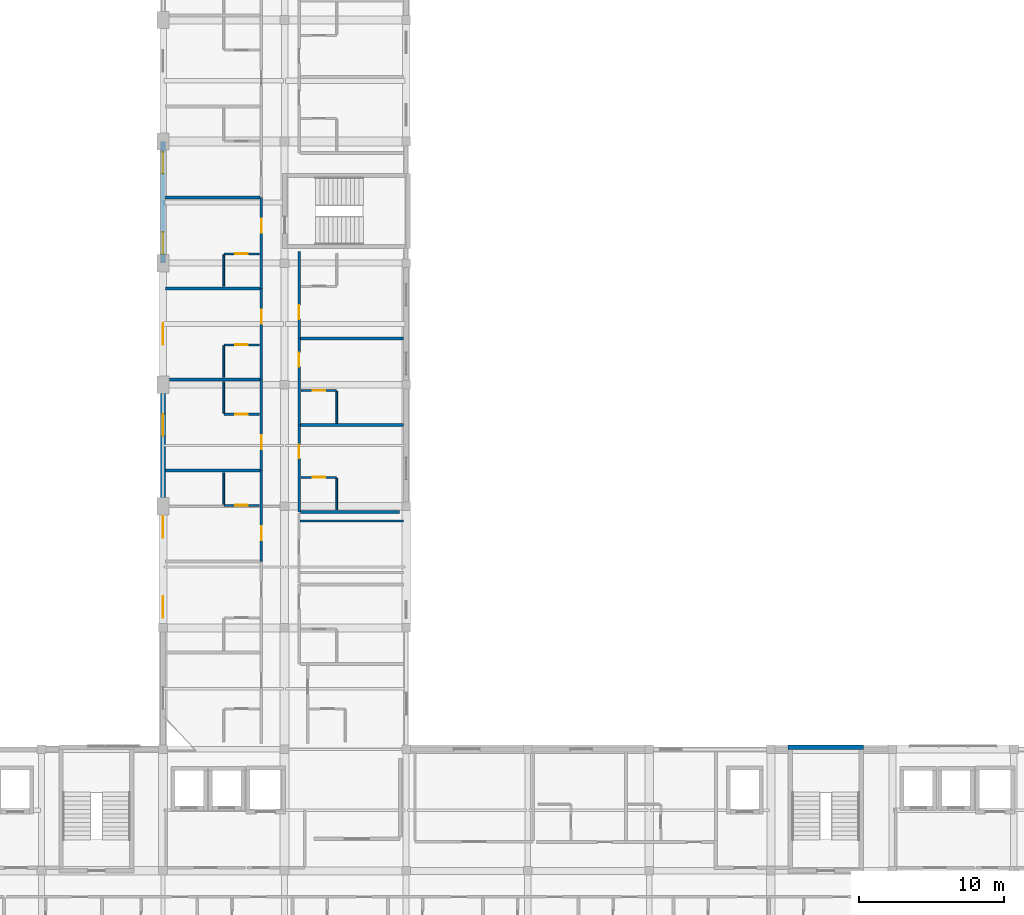
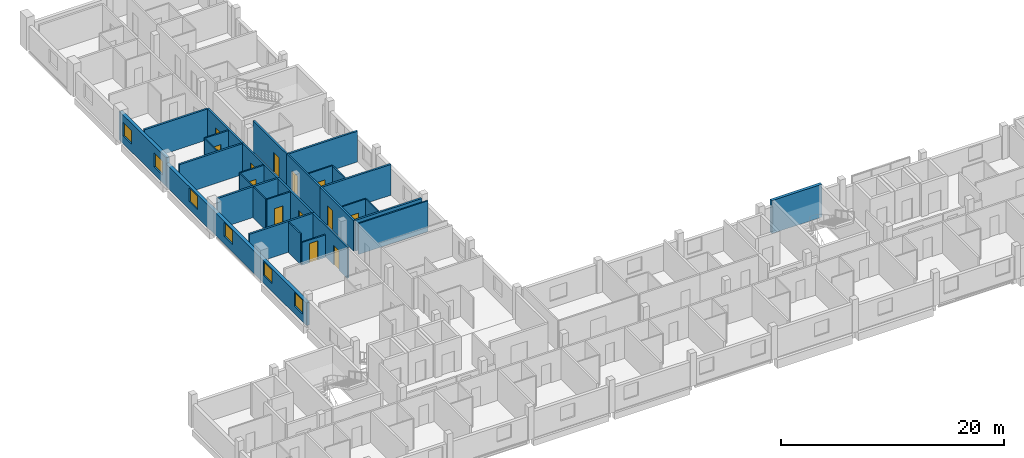
# One storey, part 15 of 24: 30 walls, 13 doors, 6 windows, 19 openings.
"""IFC4 building model written with IfcOpenShell, lengths in metres."""

import ifcopenshell
import ifcopenshell.guid

model = None  # the IFC model being written
_history = None  # IfcOwnerHistory: only IFC2X3 demands one
_inside = {}  # id of a spatial element -> (the spatial element, [elements in it])
_under = {}  # id of a project, library or spatial element -> (it, [spatial elements below it])
_declared = {}  # id of a project -> (the project, [libraries it declares])
_typed = {}  # id of a type object -> (the type object, [elements of that type])
_made_of = {}  # id of a material, layer set ... -> (it, [elements and type objects made of it])


def new_model(schema):
    """Start an empty IFC model of exactly this schema.

    Asked for "IFC4X3", IfcOpenShell would pick the latest addendum, in which some entities
    have other attributes; the version numbers below select the first issue.
    IFC2X3 requires an IfcOwnerHistory on every rooted entity: one is made here for all.
    """
    global model, _history
    if schema == "IFC4X3":
        model = ifcopenshell.file(schema_version=(4, 3, 0, 0))
    else:
        model = ifcopenshell.file(schema=schema)
    _inside.clear()
    _under.clear()
    _declared.clear()
    _typed.clear()
    _made_of.clear()
    _history = None
    if model.schema == "IFC2X3":
        org = make("IfcOrganization", Name="unknown")
        user = make(
            "IfcPersonAndOrganization",
            ThePerson=make("IfcPerson", FamilyName="unknown"),
            TheOrganization=org,
        )
        app = make(
            "IfcApplication",
            ApplicationDeveloper=org,
            Version="unknown",
            ApplicationFullName="unknown",
            ApplicationIdentifier="unknown",
        )
        _history = make(
            "IfcOwnerHistory",
            OwningUser=user,
            OwningApplication=app,
            ChangeAction="ADDED",
            CreationDate=0,
        )
    return model


def make(cls, **values):
    """One entity of the class cls with the attributes given. An attribute that is None is left unset."""
    return model.create_entity(
        cls, **{name: value for name, value in values.items() if value is not None}
    )


def rooted(cls, **values):
    """An entity with a GlobalId (a new one), such as an element, a storey or a relation."""
    return make(cls, GlobalId=ifcopenshell.guid.new(), OwnerHistory=_history, **values)


def si_unit(unit_type, name, prefix=None):
    """IfcSIUnit, for example si_unit("LENGTHUNIT", "METRE", prefix="MILLI")."""
    return make("IfcSIUnit", UnitType=unit_type, Prefix=prefix, Name=name)


def derived_unit(unit_type, elements):
    """IfcDerivedUnit: a product of units, each with its exponent."""
    return make(
        "IfcDerivedUnit",
        Elements=[
            make("IfcDerivedUnitElement", Unit=unit, Exponent=power)
            for unit, power in elements
        ],
        UnitType=unit_type,
    )


def assignment(units):
    """IfcUnitAssignment: the units of a project."""
    return None if units is None else make("IfcUnitAssignment", Units=units)


def point(xyz):
    """IfcCartesianPoint."""
    return None if xyz is None else make("IfcCartesianPoint", Coordinates=xyz)


def direction(xyz):
    """IfcDirection."""
    return None if xyz is None else make("IfcDirection", DirectionRatios=xyz)


def frame(location, z_axis=None, x_axis=None):
    """IfcAxis2Placement3D, a coordinate frame: its origin and axes. An axis left out is left unset."""
    return make(
        "IfcAxis2Placement3D",
        Location=point(location),
        Axis=direction(z_axis),
        RefDirection=direction(x_axis),
    )


def frame_2d(location, x_axis=None):
    """IfcAxis2Placement2D, a coordinate frame in the plane: its origin and x axis."""
    return make(
        "IfcAxis2Placement2D", Location=point(location), RefDirection=direction(x_axis)
    )


def origin():
    """The frame at (0, 0, 0) with its axes left unset."""
    return frame((0.0, 0.0, 0.0))


def place(relative_to, where):
    """IfcLocalPlacement: puts the frame where relative to a parent placement (None: the world)."""
    return make(
        "IfcLocalPlacement", PlacementRelTo=relative_to, RelativePlacement=where
    )


def context(
    kind, dimensions, precision=None, world=None, true_north=None, identifier=None
):
    """IfcGeometricRepresentationContext, for example the 3D "Model" context."""
    return make(
        "IfcGeometricRepresentationContext",
        ContextIdentifier=identifier,
        ContextType=kind,
        CoordinateSpaceDimension=dimensions,
        Precision=precision,
        WorldCoordinateSystem=world,
        TrueNorth=true_north,
    )


def subcontext(parent, identifier, kind, view, scale=None):
    """IfcGeometricRepresentationSubContext, for example "Body" below "Model"."""
    return make(
        "IfcGeometricRepresentationSubContext",
        ContextIdentifier=identifier,
        ContextType=kind,
        ParentContext=parent,
        TargetScale=scale,
        TargetView=view,
    )


def project(units=None, contexts=None):
    """IfcProject with its units and contexts."""
    return rooted(
        "IfcProject",
        Name="project",
        RepresentationContexts=contexts,
        UnitsInContext=assignment(units),
    )


def spatial(cls, under=None, at=None, **own):
    """A site, building, storey or space (cls), placed at a placement, below another one or the project."""
    s = rooted(cls, ObjectPlacement=at, **own)
    if under is not None:
        _under.setdefault(under.id(), (under, []))[1].append(s)
    return s


def profile(cls, at=None, kind="AREA", **sizes):
    """A parametric profile (cls). Its sizes go by their IFC names, for example OverallWidth=200.0."""
    return make(cls, ProfileType=kind, Position=at, **sizes)


def rectangle(**sizes):
    """IfcRectangleProfileDef."""
    return profile("IfcRectangleProfileDef", **sizes)


def extrude(swept, where, along, depth):
    """IfcExtrudedAreaSolid: the profile swept, set in the frame where, extruded along a direction by depth."""
    return make(
        "IfcExtrudedAreaSolid",
        SweptArea=swept,
        Position=where,
        ExtrudedDirection=direction(along),
        Depth=depth,
    )


def shape(context_of_items, identifier, shape_type, items):
    """IfcShapeRepresentation: the items that make up one representation, for example the "Body"."""
    return make(
        "IfcShapeRepresentation",
        ContextOfItems=context_of_items,
        RepresentationIdentifier=identifier,
        RepresentationType=shape_type,
        Items=items,
    )


def material(Name=None, Category=None):
    """IfcMaterial."""
    return make("IfcMaterial", Name=Name, Category=Category)


def layer(
    of_material, thickness, ventilated=None, Name=None, Category=None, Priority=None
):
    """IfcMaterialLayer: one layer of a wall or slab, of a material (None: an air gap)."""
    return make(
        "IfcMaterialLayer",
        Material=of_material,
        LayerThickness=thickness,
        IsVentilated=ventilated,
        Name=Name,
        Category=Category,
        Priority=Priority,
    )


def layer_set(layers, Name=None):
    """IfcMaterialLayerSet."""
    return make("IfcMaterialLayerSet", MaterialLayers=layers, LayerSetName=Name)


def made_of(thing, what):
    """Note that an element or type object is made of a material, layer set ...; save() writes the relation."""
    if what is not None:
        _made_of.setdefault(what.id(), (what, []))[1].append(thing)
    return thing


def type_object(cls, material=None, **own):
    """A type object (cls), such as IfcWallType, which elements share."""
    return made_of(rooted(cls, **own), material)


def element(
    cls,
    number,
    at=None,
    inside=None,
    cuts=None,
    type_object=None,
    material=None,
    context=None,
    identifier="Body",
    shape_type=None,
    held_by="IfcProductDefinitionShape",
    body=None,
    shapes=None,
    **own,
):
    """One element of the class cls, such as IfcWall. Its Tag is "e" and its number.

    at: its placement. inside: the storey or other place that contains it. cuts: it is an
    opening in that element (IfcRelVoidsElement). A single representation is given by context,
    identifier, shape_type and body (its items); several are given by shapes. held_by: the class
    of the entity that holds the representations. save() writes the other relations.
    """
    e = rooted(cls, Tag="e%d" % number, ObjectPlacement=at, **own)
    if body is not None:
        shapes = [shape(context, identifier, shape_type, body)]
    if shapes is not None:
        e.Representation = make(held_by, Representations=shapes)
    if inside is not None:
        _inside.setdefault(inside.id(), (inside, []))[1].append(e)
    if cuts is not None:
        rooted(
            "IfcRelVoidsElement", RelatingBuildingElement=cuts, RelatedOpeningElement=e
        )
    if type_object is not None:
        _typed.setdefault(type_object.id(), (type_object, []))[1].append(e)
    return made_of(e, material)


def fill(opening, filler):
    """IfcRelFillsElement: the door or window that sits in an opening."""
    return rooted(
        "IfcRelFillsElement",
        RelatingOpeningElement=opening,
        RelatedBuildingElement=filler,
    )


def aggregate(whole, parts):
    """IfcRelAggregates: a whole, such as a stair, and the parts it consists of."""
    return rooted("IfcRelAggregates", RelatingObject=whole, RelatedObjects=parts)


def save(model, path):
    """Write the relations noted so far, then the file.

    IfcRelAggregates (storeys below a building ...), IfcRelContainedInSpatialStructure (elements
    in a storey), IfcRelDefinesByType, IfcRelAssociatesMaterial and IfcRelDeclares: one each for
    every whole, place, type object, material and project.
    """
    for whole, parts in _under.values():
        aggregate(whole, parts)
    for where, things in _inside.values():
        rooted(
            "IfcRelContainedInSpatialStructure",
            RelatedElements=things,
            RelatingStructure=where,
        )
    for kind, things in _typed.values():
        rooted("IfcRelDefinesByType", RelatedObjects=things, RelatingType=kind)
    for what, things in _made_of.values():
        rooted("IfcRelAssociatesMaterial", RelatedObjects=things, RelatingMaterial=what)
    for by, libraries in _declared.values():
        rooted("IfcRelDeclares", RelatingContext=by, RelatedDefinitions=libraries)
    model.write(path)


model = new_model("IFC4")

# Units and contexts
model_context = context("Model", 3, precision=1e-05, world=origin(), true_north=direction((0.0, 1.0)))
body_context = subcontext(model_context, "Body", "Model", "MODEL_VIEW")
ifc_project = project(units=[si_unit("LENGTHUNIT", "METRE"), si_unit("AREAUNIT", "SQUARE_METRE"), si_unit("VOLUMEUNIT", "CUBIC_METRE"), si_unit("PLANEANGLEUNIT", "RADIAN"), si_unit("MASSUNIT", "GRAM", prefix="KILO"), derived_unit("THERMALTRANSMITTANCEUNIT", [(si_unit("POWERUNIT", "WATT"), 1), (si_unit("LENGTHUNIT", "METRE"), -2), (si_unit("THERMODYNAMICTEMPERATUREUNIT", "KELVIN"), -1)])], contexts=[model_context])

# Site, building, storey
site_placement = place(None, origin())
site = spatial("IfcSite", under=ifc_project, at=site_placement, CompositionType="ELEMENT")
building_placement = place(site_placement, origin())
building = spatial("IfcBuilding", under=site, at=building_placement, Name="Barrovel Congress Hotel", CompositionType="ELEMENT")
storey_placement = place(building_placement, frame((0.0, 0.0, 29.10009765625)))
storey = spatial("IfcBuildingStorey", under=building, at=storey_placement, Name="L07", CompositionType="ELEMENT", Elevation=29.10009765625)

# Wall, openings, windows
ifc_material_1 = material(Name="Fired Clay Brick Masonry", Category="masonry")
ifc_layer_1 = layer(ifc_material_1, 0.340087890625)
ifc_layer_set_1 = layer_set([ifc_layer_1], Name="Fired Clay Brick Masonry")
wall_type_1 = type_object("IfcWallType", Name="EW-BRK340", PredefinedType="STANDARD", material=ifc_layer_set_1)
wall_1_placement = place(storey_placement, frame((33.60009765625, 54.60009765625, 0.0), z_axis=(0.0, 0.0, 1.0), x_axis=(0.0, -1.0, 0.0)))
wall_1 = element("IfcWall", 1, at=wall_1_placement, inside=storey, type_object=wall_type_1, Name="EW:L07:HW-W", PredefinedType="STANDARD", context=body_context, shape_type="SweptSolid", body=[
    extrude(rectangle(XDim=25.2001953125, YDim=0.340087890625, at=frame_2d((12.60009765625, 0.0))), origin(), (0.0, 0.0, 1.0), 2.47998046875),
])
opening_1_placement = place(wall_1_placement, frame((23.0166015625, 0.0, 0.85009765625)))
opening_1 = element("IfcOpeningElement", 2, at=opening_1_placement, cuts=wall_1, Name="Opening WN-07", PredefinedType="OPENING", context=body_context, shape_type="SweptSolid", body=[
    extrude(rectangle(XDim=1.5, YDim=1.5, at=frame_2d((0.75, 0.75))), frame((0.0, 0.18017578125, 0.0), z_axis=(0.0, -1.0, 0.0), x_axis=(1.0, 0.0, 0.0)), (0.0, 0.0, 1.0), 0.360107421875),
])
opening_2_placement = place(wall_1_placement, frame((17.477783203125, 0.0, 0.85009765625)))
opening_2 = element("IfcOpeningElement", 3, at=opening_2_placement, cuts=wall_1, Name="Opening WN-07", PredefinedType="OPENING", context=body_context, shape_type="SweptSolid", body=[
    extrude(rectangle(XDim=1.5, YDim=1.5, at=frame_2d((0.75, 0.75))), frame((0.0, 0.18017578125, 0.0), z_axis=(0.0, -1.0, 0.0), x_axis=(1.0, 0.0, 0.0)), (0.0, 0.0, 1.0), 0.360107421875),
])
opening_3_placement = place(wall_1_placement, frame((10.43896484375, 0.0, 0.85009765625)))
opening_3 = element("IfcOpeningElement", 4, at=opening_3_placement, cuts=wall_1, Name="Opening WN-07", PredefinedType="OPENING", context=body_context, shape_type="SweptSolid", body=[
    extrude(rectangle(XDim=1.5, YDim=1.5, at=frame_2d((0.75, 0.75))), frame((0.0, 0.18017578125, 0.0), z_axis=(0.0, -1.0, 0.0), x_axis=(1.0, 0.0, 0.0)), (0.0, 0.0, 1.0), 0.360107421875),
])
opening_4_placement = place(wall_1_placement, frame((4.14990234375, 0.0, 0.85009765625)))
opening_4 = element("IfcOpeningElement", 5, at=opening_4_placement, cuts=wall_1, Name="Opening WN-07", PredefinedType="OPENING", context=body_context, shape_type="SweptSolid", body=[
    extrude(rectangle(XDim=1.5, YDim=1.5, at=frame_2d((0.75, 0.75))), frame((0.0, 0.18017578125, 0.0), z_axis=(0.0, -1.0, 0.0), x_axis=(1.0, 0.0, 0.0)), (0.0, 0.0, 1.0), 0.360107421875),
])
ifc_material_2 = material(Name="Double Low-E Insulated Glazing", Category="glass")
window_type = type_object("IfcWindowType", Name="WIN-WN-07", PartitioningType="SINGLE_PANEL", PredefinedType="WINDOW", material=ifc_material_2)
window_1_placement = place(opening_1_placement, origin())
window_1 = element("IfcWindow", 6, at=window_1_placement, inside=storey, type_object=window_type, Name="WIN:L07:U29", OverallHeight=1.5, OverallWidth=1.5, PartitioningType="SINGLE_PANEL", PredefinedType="WINDOW", context=body_context, shape_type="SweptSolid", body=[
    extrude(rectangle(XDim=1.5, YDim=1.5, at=frame_2d((0.75, 0.75))), frame((0.0, 0.030029296875, 0.0), z_axis=(0.0, -1.0, 0.0), x_axis=(1.0, 0.0, 0.0)), (0.0, 0.0, 1.0), 0.06005859375),
])
fill(opening_1, window_1)
window_2_placement = place(opening_2_placement, origin())
window_2 = element("IfcWindow", 7, at=window_2_placement, inside=storey, type_object=window_type, Name="WIN:L07:U30", OverallHeight=1.5, OverallWidth=1.5, PartitioningType="SINGLE_PANEL", PredefinedType="WINDOW", context=body_context, shape_type="SweptSolid", body=[
    extrude(rectangle(XDim=1.5, YDim=1.5, at=frame_2d((0.75, 0.75))), frame((0.0, 0.030029296875, 0.0), z_axis=(0.0, -1.0, 0.0), x_axis=(1.0, 0.0, 0.0)), (0.0, 0.0, 1.0), 0.06005859375),
])
fill(opening_2, window_2)
window_3_placement = place(opening_3_placement, origin())
window_3 = element("IfcWindow", 8, at=window_3_placement, inside=storey, type_object=window_type, Name="WIN:L07:U31", OverallHeight=1.5, OverallWidth=1.5, PartitioningType="SINGLE_PANEL", PredefinedType="WINDOW", context=body_context, shape_type="SweptSolid", body=[
    extrude(rectangle(XDim=1.5, YDim=1.5, at=frame_2d((0.75, 0.75))), frame((0.0, 0.030029296875, 0.0), z_axis=(0.0, -1.0, 0.0), x_axis=(1.0, 0.0, 0.0)), (0.0, 0.0, 1.0), 0.06005859375),
])
fill(opening_3, window_3)
window_4_placement = place(opening_4_placement, origin())
window_4 = element("IfcWindow", 9, at=window_4_placement, inside=storey, type_object=window_type, Name="WIN:L07:U32", OverallHeight=1.5, OverallWidth=1.5, PartitioningType="SINGLE_PANEL", PredefinedType="WINDOW", context=body_context, shape_type="SweptSolid", body=[
    extrude(rectangle(XDim=1.5, YDim=1.5, at=frame_2d((0.75, 0.75))), frame((0.0, 0.030029296875, 0.0), z_axis=(0.0, -1.0, 0.0), x_axis=(1.0, 0.0, 0.0)), (0.0, 0.0, 1.0), 0.06005859375),
])
fill(opening_4, window_4)

wall_2_placement = place(storey_placement, frame((33.60009765625, 63.0, 0.0), z_axis=(0.0, 0.0, 1.0), x_axis=(0.0, -1.0, 0.0)))
wall_2 = element("IfcWall", 10, at=wall_2_placement, inside=storey, type_object=wall_type_1, Name="EW:L07:HW-W:P02", PredefinedType="STANDARD", context=body_context, shape_type="SweptSolid", body=[
    extrude(rectangle(XDim=8.39990234375, YDim=0.340087890625, at=frame_2d((4.199951171875, 0.0))), origin(), (0.0, 0.0, 1.0), 3.1259765625),
])
opening_5_placement = place(wall_2_placement, frame((6.26123046875, 0.0, 0.85009765625)))
opening_5 = element("IfcOpeningElement", 11, at=opening_5_placement, cuts=wall_2, Name="Opening WN-07", PredefinedType="OPENING", context=body_context, shape_type="SweptSolid", body=[
    extrude(rectangle(XDim=1.5, YDim=1.5, at=frame_2d((0.75, 0.75))), frame((0.0, 0.18017578125, 0.0), z_axis=(0.0, -1.0, 0.0), x_axis=(1.0, 0.0, 0.0)), (0.0, 0.0, 1.0), 0.360107421875),
])
opening_6_placement = place(wall_2_placement, frame((0.722412109375, 0.0, 0.85009765625)))
opening_6 = element("IfcOpeningElement", 12, at=opening_6_placement, cuts=wall_2, Name="Opening WN-07", PredefinedType="OPENING", context=body_context, shape_type="SweptSolid", body=[
    extrude(rectangle(XDim=1.5, YDim=1.5, at=frame_2d((0.75, 0.75))), frame((0.0, 0.18017578125, 0.0), z_axis=(0.0, -1.0, 0.0), x_axis=(1.0, 0.0, 0.0)), (0.0, 0.0, 1.0), 0.360107421875),
])
window_5_placement = place(opening_5_placement, origin())
window_5 = element("IfcWindow", 13, at=window_5_placement, inside=storey, type_object=window_type, Name="WIN:L07:U33", OverallHeight=1.5, OverallWidth=1.5, PartitioningType="SINGLE_PANEL", PredefinedType="WINDOW", context=body_context, shape_type="SweptSolid", body=[
    extrude(rectangle(XDim=1.5, YDim=1.5, at=frame_2d((0.75, 0.75))), frame((0.0, 0.030029296875, 0.0), z_axis=(0.0, -1.0, 0.0), x_axis=(1.0, 0.0, 0.0)), (0.0, 0.0, 1.0), 0.06005859375),
])
fill(opening_5, window_5)
window_6_placement = place(opening_6_placement, origin())
window_6 = element("IfcWindow", 14, at=window_6_placement, inside=storey, type_object=window_type, Name="WIN:L07:U34", OverallHeight=1.5, OverallWidth=1.5, PartitioningType="SINGLE_PANEL", PredefinedType="WINDOW", context=body_context, shape_type="SweptSolid", body=[
    extrude(rectangle(XDim=1.5, YDim=1.5, at=frame_2d((0.75, 0.75))), frame((0.0, 0.030029296875, 0.0), z_axis=(0.0, -1.0, 0.0), x_axis=(1.0, 0.0, 0.0)), (0.0, 0.0, 1.0), 0.06005859375),
])
fill(opening_6, window_6)

# Wall, opening, door
ifc_material_3 = material(Name="Gypsum Acoustic Stud", Category="gypsum")
ifc_layer_2 = layer(ifc_material_3, 0.179931640625)
ifc_layer_set_2 = layer_set([ifc_layer_2], Name="Gypsum Acoustic Stud")
wall_type_2 = type_object("IfcWallType", Name="PW-ACU-180", PredefinedType="PARTITIONING", material=ifc_layer_set_2)
wall_3_placement = place(storey_placement, frame((40.39990234375, 33.977783203125, 0.0), z_axis=(0.0, 0.0, 1.0), x_axis=(0.0, 1.0, 0.0)))
wall_3 = element("IfcWall", 15, at=wall_3_placement, inside=storey, type_object=wall_type_2, Name="PW:L07:U30:COR", PredefinedType="PARTITIONING", context=body_context, shape_type="SweptSolid", body=[
    extrude(rectangle(XDim=6.288818359375, YDim=0.179931640625, at=frame_2d((3.14453125, 0.0))), origin(), (0.0, 0.0, 1.0), 3.375),
])
opening_7_placement = place(wall_3_placement, frame((1.4794921875, 0.0, 0.0)))
opening_7 = element("IfcOpeningElement", 16, at=opening_7_placement, cuts=wall_3, Name="Opening ID-HTL", PredefinedType="OPENING", context=body_context, shape_type="SweptSolid", body=[
    extrude(rectangle(XDim=0.9599609375, YDim=2.14990234375, at=frame_2d((0.47998046875, 1.074951171875))), frame((0.0, 0.10009765625, 0.0), z_axis=(0.0, -1.0, 0.0), x_axis=(1.0, 0.0, 0.0)), (0.0, 0.0, 1.0), 0.199951171875),
])
ifc_material_4 = material(Name="Solid Oak Acoustic Timber Door", Category="wood")
door_type_1 = type_object("IfcDoorType", Name="IDR-ID-HTL", OperationType="NOTDEFINED", PredefinedType="DOOR", material=ifc_material_4)
door_1_placement = place(opening_7_placement, origin())
door_1 = element("IfcDoor", 17, at=door_1_placement, inside=storey, type_object=door_type_1, Name="DR:L07:U30:ENT", OperationType="SINGLE_SWING_RIGHT", OverallHeight=2.14990234375, OverallWidth=0.9599609375, PredefinedType="DOOR", context=body_context, shape_type="SweptSolid", body=[
    extrude(rectangle(XDim=0.9599609375, YDim=2.14990234375, at=frame_2d((0.47998046875, 1.074951171875))), frame((0.0, 0.02490234375, 0.0), z_axis=(0.0, -1.0, 0.0), x_axis=(1.0, 0.0, 0.0)), (0.0, 0.0, 1.0), 0.050048828125),
])
fill(opening_7, door_1)

wall_4_placement = place(storey_placement, frame((40.39990234375, 40.2666015625, 0.0), z_axis=(0.0, 0.0, 1.0), x_axis=(0.0, 1.0, 0.0)))
wall_4 = element("IfcWall", 18, at=wall_4_placement, inside=storey, type_object=wall_type_2, Name="PW:L07:U31:COR", PredefinedType="PARTITIONING", context=body_context, shape_type="SweptSolid", body=[
    extrude(rectangle(XDim=6.2890625, YDim=0.179931640625, at=frame_2d((3.14453125, 0.0))), origin(), (0.0, 0.0, 1.0), 3.375),
])
opening_8_placement = place(wall_4_placement, frame((1.4794921875, 0.0, 0.0)))
opening_8 = element("IfcOpeningElement", 19, at=opening_8_placement, cuts=wall_4, Name="Opening ID-HTL", PredefinedType="OPENING", context=body_context, shape_type="SweptSolid", body=[
    extrude(rectangle(XDim=0.9599609375, YDim=2.14990234375, at=frame_2d((0.47998046875, 1.074951171875))), frame((0.0, 0.10009765625, 0.0), z_axis=(0.0, -1.0, 0.0), x_axis=(1.0, 0.0, 0.0)), (0.0, 0.0, 1.0), 0.199951171875),
])
door_2_placement = place(opening_8_placement, origin())
door_2 = element("IfcDoor", 20, at=door_2_placement, inside=storey, type_object=door_type_1, Name="DR:L07:U31:ENT", OperationType="SINGLE_SWING_RIGHT", OverallHeight=2.14990234375, OverallWidth=0.9599609375, PredefinedType="DOOR", context=body_context, shape_type="SweptSolid", body=[
    extrude(rectangle(XDim=0.9599609375, YDim=2.14990234375, at=frame_2d((0.47998046875, 1.074951171875))), frame((0.0, 0.02490234375, 0.0), z_axis=(0.0, -1.0, 0.0), x_axis=(1.0, 0.0, 0.0)), (0.0, 0.0, 1.0), 0.050048828125),
])
fill(opening_8, door_2)

wall_5_placement = place(storey_placement, frame((40.39990234375, 46.5556640625, 0.0), z_axis=(0.0, 0.0, 1.0), x_axis=(0.0, 1.0, 0.0)))
wall_5 = element("IfcWall", 21, at=wall_5_placement, inside=storey, type_object=wall_type_2, Name="PW:L07:U32:COR", PredefinedType="PARTITIONING", context=body_context, shape_type="SweptSolid", body=[
    extrude(rectangle(XDim=6.288818359375, YDim=0.179931640625, at=frame_2d((3.14453125, 0.0))), origin(), (0.0, 0.0, 1.0), 3.375),
])
opening_9_placement = place(wall_5_placement, frame((3.849365234375, 0.0, 0.0)))
opening_9 = element("IfcOpeningElement", 22, at=opening_9_placement, cuts=wall_5, Name="Opening ID-HTL", PredefinedType="OPENING", context=body_context, shape_type="SweptSolid", body=[
    extrude(rectangle(XDim=0.9599609375, YDim=2.14990234375, at=frame_2d((0.47998046875, 1.074951171875))), frame((0.0, 0.10009765625, 0.0), z_axis=(0.0, -1.0, 0.0), x_axis=(1.0, 0.0, 0.0)), (0.0, 0.0, 1.0), 0.199951171875),
])
door_3_placement = place(opening_9_placement, origin())
door_3 = element("IfcDoor", 23, at=door_3_placement, inside=storey, type_object=door_type_1, Name="DR:L07:U32:ENT", OperationType="SINGLE_SWING_RIGHT", OverallHeight=2.14990234375, OverallWidth=0.9599609375, PredefinedType="DOOR", context=body_context, shape_type="SweptSolid", body=[
    extrude(rectangle(XDim=0.9599609375, YDim=2.14990234375, at=frame_2d((0.47998046875, 1.074951171875))), frame((0.0, 0.02490234375, 0.0), z_axis=(0.0, -1.0, 0.0), x_axis=(1.0, 0.0, 0.0)), (0.0, 0.0, 1.0), 0.050048828125),
])
fill(opening_9, door_3)

wall_6_placement = place(storey_placement, frame((40.39990234375, 52.844482421875, 0.0), z_axis=(0.0, 0.0, 1.0), x_axis=(0.0, 1.0, 0.0)))
wall_6 = element("IfcWall", 24, at=wall_6_placement, inside=storey, type_object=wall_type_2, Name="PW:L07:U33:COR", PredefinedType="PARTITIONING", context=body_context, shape_type="SweptSolid", body=[
    extrude(rectangle(XDim=6.288818359375, YDim=0.179931640625, at=frame_2d((3.14453125, 0.0))), origin(), (0.0, 0.0, 1.0), 3.375),
])
opening_10_placement = place(wall_6_placement, frame((3.849609375, 0.0, 0.0)))
opening_10 = element("IfcOpeningElement", 25, at=opening_10_placement, cuts=wall_6, Name="Opening ID-HTL", PredefinedType="OPENING", context=body_context, shape_type="SweptSolid", body=[
    extrude(rectangle(XDim=0.9599609375, YDim=2.14990234375, at=frame_2d((0.47998046875, 1.074951171875))), frame((0.0, 0.10009765625, 0.0), z_axis=(0.0, -1.0, 0.0), x_axis=(1.0, 0.0, 0.0)), (0.0, 0.0, 1.0), 0.199951171875),
])
door_4_placement = place(opening_10_placement, origin())
door_4 = element("IfcDoor", 26, at=door_4_placement, inside=storey, type_object=door_type_1, Name="DR:L07:U33:ENT", OperationType="SINGLE_SWING_RIGHT", OverallHeight=2.14990234375, OverallWidth=0.9599609375, PredefinedType="DOOR", context=body_context, shape_type="SweptSolid", body=[
    extrude(rectangle(XDim=0.9599609375, YDim=2.14990234375, at=frame_2d((0.47998046875, 1.074951171875))), frame((0.0, 0.02490234375, 0.0), z_axis=(0.0, -1.0, 0.0), x_axis=(1.0, 0.0, 0.0)), (0.0, 0.0, 1.0), 0.050048828125),
])
fill(opening_10, door_4)

wall_7_placement = place(storey_placement, frame((43.0, 37.39990234375, 0.0), z_axis=(0.0, 0.0, 1.0), x_axis=(0.0, 1.0, 0.0)))
wall_7 = element("IfcWall", 27, at=wall_7_placement, inside=storey, type_object=wall_type_2, Name="PW:L07:U39:COR", PredefinedType="PARTITIONING", context=body_context, shape_type="SweptSolid", body=[
    extrude(rectangle(XDim=6.0, YDim=0.179931640625, at=frame_2d((3.0, 0.0))), origin(), (0.0, 0.0, 1.0), 3.375),
])
opening_11_placement = place(wall_7_placement, frame((3.705078125, 0.0, 0.0)))
opening_11 = element("IfcOpeningElement", 28, at=opening_11_placement, cuts=wall_7, Name="Opening ID-HTL", PredefinedType="OPENING", context=body_context, shape_type="SweptSolid", body=[
    extrude(rectangle(XDim=0.9599609375, YDim=2.14990234375, at=frame_2d((0.47998046875, 1.074951171875))), frame((0.0, 0.10009765625, 0.0), z_axis=(0.0, -1.0, 0.0), x_axis=(1.0, 0.0, 0.0)), (0.0, 0.0, 1.0), 0.199951171875),
])
door_5_placement = place(opening_11_placement, origin())
door_5 = element("IfcDoor", 29, at=door_5_placement, inside=storey, type_object=door_type_1, Name="DR:L07:U39:ENT", OperationType="SINGLE_SWING_RIGHT", OverallHeight=2.14990234375, OverallWidth=0.9599609375, PredefinedType="DOOR", context=body_context, shape_type="SweptSolid", body=[
    extrude(rectangle(XDim=0.9599609375, YDim=2.14990234375, at=frame_2d((0.47998046875, 1.074951171875))), frame((0.0, 0.02490234375, 0.0), z_axis=(0.0, -1.0, 0.0), x_axis=(1.0, 0.0, 0.0)), (0.0, 0.0, 1.0), 0.050048828125),
])
fill(opening_11, door_5)

wall_8_placement = place(storey_placement, frame((43.0, 43.39990234375, 0.0), z_axis=(0.0, 0.0, 1.0), x_axis=(0.0, 1.0, 0.0)))
wall_8 = element("IfcWall", 30, at=wall_8_placement, inside=storey, type_object=wall_type_2, Name="PW:L07:U40:COR", PredefinedType="PARTITIONING", context=body_context, shape_type="SweptSolid", body=[
    extrude(rectangle(XDim=6.0, YDim=0.179931640625, at=frame_2d((3.0, 0.0))), origin(), (0.0, 0.0, 1.0), 3.375),
])
opening_12_placement = place(wall_8_placement, frame((4.054931640625, 0.0, 0.0)))
opening_12 = element("IfcOpeningElement", 31, at=opening_12_placement, cuts=wall_8, Name="Opening ID-HTL", PredefinedType="OPENING", context=body_context, shape_type="SweptSolid", body=[
    extrude(rectangle(XDim=0.9599609375, YDim=2.14990234375, at=frame_2d((0.47998046875, 1.074951171875))), frame((0.0, 0.10009765625, 0.0), z_axis=(0.0, -1.0, 0.0), x_axis=(1.0, 0.0, 0.0)), (0.0, 0.0, 1.0), 0.199951171875),
])
door_6_placement = place(opening_12_placement, origin())
door_6 = element("IfcDoor", 32, at=door_6_placement, inside=storey, type_object=door_type_1, Name="DR:L07:U40:ENT", OperationType="SINGLE_SWING_RIGHT", OverallHeight=2.14990234375, OverallWidth=0.9599609375, PredefinedType="DOOR", context=body_context, shape_type="SweptSolid", body=[
    extrude(rectangle(XDim=0.9599609375, YDim=2.14990234375, at=frame_2d((0.47998046875, 1.074951171875))), frame((0.0, 0.02490234375, 0.0), z_axis=(0.0, -1.0, 0.0), x_axis=(1.0, 0.0, 0.0)), (0.0, 0.0, 1.0), 0.050048828125),
])
fill(opening_12, door_6)

wall_9_placement = place(storey_placement, frame((43.0, 49.39990234375, 0.0), z_axis=(0.0, 0.0, 1.0), x_axis=(0.0, 1.0, 0.0)))
wall_9 = element("IfcWall", 33, at=wall_9_placement, inside=storey, type_object=wall_type_2, Name="PW:L07:U41:COR", PredefinedType="PARTITIONING", context=body_context, shape_type="SweptSolid", body=[
    extrude(rectangle(XDim=6.0, YDim=0.179931640625, at=frame_2d((3.0, 0.0))), origin(), (0.0, 0.0, 1.0), 3.375),
])
opening_13_placement = place(wall_9_placement, frame((1.3349609375, 0.0, 0.0)))
opening_13 = element("IfcOpeningElement", 34, at=opening_13_placement, cuts=wall_9, Name="Opening ID-HTL", PredefinedType="OPENING", context=body_context, shape_type="SweptSolid", body=[
    extrude(rectangle(XDim=0.9599609375, YDim=2.14990234375, at=frame_2d((0.47998046875, 1.074951171875))), frame((0.0, 0.10009765625, 0.0), z_axis=(0.0, -1.0, 0.0), x_axis=(1.0, 0.0, 0.0)), (0.0, 0.0, 1.0), 0.199951171875),
])
door_7_placement = place(opening_13_placement, origin())
door_7 = element("IfcDoor", 35, at=door_7_placement, inside=storey, type_object=door_type_1, Name="DR:L07:U41:ENT", OperationType="SINGLE_SWING_RIGHT", OverallHeight=2.14990234375, OverallWidth=0.9599609375, PredefinedType="DOOR", context=body_context, shape_type="SweptSolid", body=[
    extrude(rectangle(XDim=0.9599609375, YDim=2.14990234375, at=frame_2d((0.47998046875, 1.074951171875))), frame((0.0, 0.02490234375, 0.0), z_axis=(0.0, -1.0, 0.0), x_axis=(1.0, 0.0, 0.0)), (0.0, 0.0, 1.0), 0.050048828125),
])
fill(opening_13, door_7)

# Walls
ifc_layer_3 = layer(ifc_material_3, 0.1201171875)
ifc_layer_set_3 = layer_set([ifc_layer_3], Name="Gypsum Acoustic Stud")
wall_type_3 = type_object("IfcWallType", Name="PW-INT-120", PredefinedType="PARTITIONING", material=ifc_layer_set_3)
for number, where, z_axis, x_axis, name in (
    (36, (37.800048828125, 37.936767578125, 0.0), (0.0, 0.0, 1.0), (0.0, 1.0, 0.0), "PW:L07:U30:B2"),
    (37, (37.800048828125, 44.2255859375, 0.0), (0.0, 0.0, 1.0), (0.0, 1.0, 0.0), "PW:L07:U31:B2"),
    (38, (37.800048828125, 46.695556640625, 0.0), (0.0, 0.0, 1.0), (0.0, 1.0, 0.0), "PW:L07:U32:B2"),
    (39, (37.800048828125, 52.984375, 0.0), (0.0, 0.0, 1.0), (0.0, 1.0, 0.0), "PW:L07:U33:B2"),
    (40, (45.60009765625, 37.5400390625, 0.0), (0.0, 0.0, 1.0), (0.0, 1.0, 0.0), "PW:L07:U39:B2"),
    (41, (45.60009765625, 43.5400390625, 0.0), (0.0, 0.0, 1.0), (0.0, 1.0, 0.0), "PW:L07:U40:B2"),
):
    element("IfcWall", number, at=place(storey_placement, frame(where, z_axis=z_axis, x_axis=x_axis)), inside=storey, type_object=wall_type_3, Name=name, PredefinedType="PARTITIONING", context=body_context, shape_type="SweptSolid", body=[
        extrude(rectangle(XDim=2.18994140625, YDim=0.1201171875, at=frame_2d((1.094970703125, 0.0))), origin(), (0.0, 0.0, 1.0), 3.375),
    ])
ifc_layer_4 = layer(ifc_material_1, 0.199951171875)
ifc_layer_set_4 = layer_set([ifc_layer_4], Name="Fired Clay Brick Masonry")
wall_type_4 = type_object("IfcWallType", Name="PW-MAS-200", PredefinedType="PARTITIONING", material=ifc_layer_set_4)
wall_10_placement = place(storey_placement, frame((33.77001953125, 40.2666015625, 0.0), z_axis=(0.0, 0.0, 1.0), x_axis=(1.0, 0.0, 0.0)))
element("IfcWall", 42, at=wall_10_placement, inside=storey, type_object=wall_type_4, Name="PW:L07:U30:DEM", PredefinedType="PARTITIONING", context=body_context, shape_type="SweptSolid", body=[
    extrude(rectangle(XDim=6.5400390625, YDim=0.199951171875, at=frame_2d((3.27001953125, 0.0))), origin(), (0.0, 0.0, 1.0), 3.375),
])
wall_11_placement = place(storey_placement, frame((34.050048828125, 46.5556640625, 0.0), z_axis=(0.0, 0.0, 1.0), x_axis=(1.0, 0.0, 0.0)))
element("IfcWall", 43, at=wall_11_placement, inside=storey, type_object=wall_type_4, Name="PW:L07:U31:DEM", PredefinedType="PARTITIONING", context=body_context, shape_type="SweptSolid", body=[
    extrude(rectangle(XDim=6.260009765625, YDim=0.199951171875, at=frame_2d((3.1298828125, 0.0))), origin(), (0.0, 0.0, 1.0), 3.375),
])
for number, where, z_axis, x_axis, name in (
    (44, (33.77001953125, 52.844482421875, 0.0), (0.0, 0.0, 1.0), (1.0, 0.0, 0.0), "PW:L07:U32:DEM"),
    (45, (33.77001953125, 59.13330078125, 0.0), (0.0, 0.0, 1.0), (1.0, 0.0, 0.0), "PW:L07:U33:DEM"),
):
    element("IfcWall", number, at=place(storey_placement, frame(where, z_axis=z_axis, x_axis=x_axis)), inside=storey, type_object=wall_type_4, Name=name, PredefinedType="PARTITIONING", context=body_context, shape_type="SweptSolid", body=[
        extrude(rectangle(XDim=6.5400390625, YDim=0.199951171875, at=frame_2d((3.27001953125, 0.0))), origin(), (0.0, 0.0, 1.0), 3.375),
    ])
wall_12_placement = place(storey_placement, frame((43.090087890625, 37.39990234375, 0.0), z_axis=(0.0, 0.0, 1.0), x_axis=(1.0, 0.0, 0.0)))
element("IfcWall", 46, at=wall_12_placement, inside=storey, type_object=wall_type_4, Name="PW:L07:U39:DEM0", PredefinedType="PARTITIONING", context=body_context, shape_type="SweptSolid", body=[
    extrude(rectangle(XDim=6.85986328125, YDim=0.199951171875, at=frame_2d((3.429931640625, 0.0))), origin(), (0.0, 0.0, 1.0), 3.375),
])
for number, where, z_axis, x_axis, name in (
    (47, (43.090087890625, 43.39990234375, 0.0), (0.0, 0.0, 1.0), (1.0, 0.0, 0.0), "PW:L07:U39:DEM"),
    (48, (43.090087890625, 49.39990234375, 0.0), (0.0, 0.0, 1.0), (1.0, 0.0, 0.0), "PW:L07:U40:DEM"),
):
    element("IfcWall", number, at=place(storey_placement, frame(where, z_axis=z_axis, x_axis=x_axis)), inside=storey, type_object=wall_type_4, Name=name, PredefinedType="PARTITIONING", context=body_context, shape_type="SweptSolid", body=[
        extrude(rectangle(XDim=7.139892578125, YDim=0.199951171875, at=frame_2d((3.56982421875, 0.0))), origin(), (0.0, 0.0, 1.0), 3.375),
    ])

# Wall, opening, door
ifc_material_5 = material(Name="Gypsum Moisture Board", Category="gypsum")
ifc_layer_5 = layer(ifc_material_5, 0.139892578125)
ifc_layer_set_5 = layer_set([ifc_layer_5], Name="Gypsum Moisture Board")
wall_type_5 = type_object("IfcWallType", Name="PW-WET-140", PredefinedType="PARTITIONING", material=ifc_layer_set_5)
wall_13_placement = place(storey_placement, frame((37.800048828125, 37.86669921875, 0.0), z_axis=(0.0, 0.0, 1.0), x_axis=(1.0, 0.0, 0.0)))
wall_13 = element("IfcWall", 49, at=wall_13_placement, inside=storey, type_object=wall_type_5, Name="PW:L07:U30:B1", PredefinedType="PARTITIONING", context=body_context, shape_type="SweptSolid", body=[
    extrude(rectangle(XDim=2.4599609375, YDim=0.139892578125, at=frame_2d((1.22998046875, 0.0))), origin(), (0.0, 0.0, 1.0), 2.47998046875),
])
opening_14_placement = place(wall_13_placement, frame((0.800048828125, 0.0, 0.0)))
opening_14 = element("IfcOpeningElement", 50, at=opening_14_placement, cuts=wall_13, Name="Opening ID-ENS", PredefinedType="OPENING", context=body_context, shape_type="SweptSolid", body=[
    extrude(rectangle(XDim=0.860107421875, YDim=2.10009765625, at=frame_2d((0.43017578125, 1.050048828125))), frame((0.0, 0.080078125, 0.0), z_axis=(0.0, -1.0, 0.0), x_axis=(1.0, 0.0, 0.0)), (0.0, 0.0, 1.0), 0.159912109375),
])
ifc_material_6 = material(Name="Lacquered Timber Moisture Door", Category="wood")
door_type_2 = type_object("IfcDoorType", Name="IDR-ID-ENS", OperationType="NOTDEFINED", PredefinedType="DOOR", material=ifc_material_6)
door_8_placement = place(opening_14_placement, origin())
door_8 = element("IfcDoor", 51, at=door_8_placement, inside=storey, type_object=door_type_2, Name="DR:L07:U30:ENS", OperationType="SINGLE_SWING_LEFT", OverallHeight=2.10009765625, OverallWidth=0.860107421875, PredefinedType="DOOR", context=body_context, shape_type="SweptSolid", body=[
    extrude(rectangle(XDim=0.860107421875, YDim=2.10009765625, at=frame_2d((0.43017578125, 1.050048828125))), frame((0.0, 0.02490234375, 0.0), z_axis=(0.0, -1.0, 0.0), x_axis=(1.0, 0.0, 0.0)), (0.0, 0.0, 1.0), 0.050048828125),
])
fill(opening_14, door_8)

wall_14_placement = place(storey_placement, frame((37.800048828125, 44.155517578125, 0.0), z_axis=(0.0, 0.0, 1.0), x_axis=(1.0, 0.0, 0.0)))
wall_14 = element("IfcWall", 52, at=wall_14_placement, inside=storey, type_object=wall_type_5, Name="PW:L07:U31:B1", PredefinedType="PARTITIONING", context=body_context, shape_type="SweptSolid", body=[
    extrude(rectangle(XDim=2.4599609375, YDim=0.139892578125, at=frame_2d((1.22998046875, 0.0))), origin(), (0.0, 0.0, 1.0), 3.375),
])
opening_15_placement = place(wall_14_placement, frame((0.800048828125, 0.0, 0.0)))
opening_15 = element("IfcOpeningElement", 53, at=opening_15_placement, cuts=wall_14, Name="Opening ID-ENS", PredefinedType="OPENING", context=body_context, shape_type="SweptSolid", body=[
    extrude(rectangle(XDim=0.860107421875, YDim=2.10009765625, at=frame_2d((0.43017578125, 1.050048828125))), frame((0.0, 0.080078125, 0.0), z_axis=(0.0, -1.0, 0.0), x_axis=(1.0, 0.0, 0.0)), (0.0, 0.0, 1.0), 0.159912109375),
])
door_9_placement = place(opening_15_placement, origin())
door_9 = element("IfcDoor", 54, at=door_9_placement, inside=storey, type_object=door_type_2, Name="DR:L07:U31:ENS", OperationType="SINGLE_SWING_LEFT", OverallHeight=2.10009765625, OverallWidth=0.860107421875, PredefinedType="DOOR", context=body_context, shape_type="SweptSolid", body=[
    extrude(rectangle(XDim=0.860107421875, YDim=2.10009765625, at=frame_2d((0.43017578125, 1.050048828125))), frame((0.0, 0.02490234375, 0.0), z_axis=(0.0, -1.0, 0.0), x_axis=(1.0, 0.0, 0.0)), (0.0, 0.0, 1.0), 0.050048828125),
])
fill(opening_15, door_9)

wall_15_placement = place(storey_placement, frame((37.800048828125, 48.95556640625, 0.0), z_axis=(0.0, 0.0, 1.0), x_axis=(1.0, 0.0, 0.0)))
wall_15 = element("IfcWall", 55, at=wall_15_placement, inside=storey, type_object=wall_type_5, Name="PW:L07:U32:B1", PredefinedType="PARTITIONING", context=body_context, shape_type="SweptSolid", body=[
    extrude(rectangle(XDim=2.4599609375, YDim=0.139892578125, at=frame_2d((1.22998046875, 0.0))), origin(), (0.0, 0.0, 1.0), 3.375),
])
opening_16_placement = place(wall_15_placement, frame((0.800048828125, 0.0, 0.0)))
opening_16 = element("IfcOpeningElement", 56, at=opening_16_placement, cuts=wall_15, Name="Opening ID-ENS", PredefinedType="OPENING", context=body_context, shape_type="SweptSolid", body=[
    extrude(rectangle(XDim=0.860107421875, YDim=2.10009765625, at=frame_2d((0.43017578125, 1.050048828125))), frame((0.0, 0.080078125, 0.0), z_axis=(0.0, -1.0, 0.0), x_axis=(1.0, 0.0, 0.0)), (0.0, 0.0, 1.0), 0.159912109375),
])
door_10_placement = place(opening_16_placement, origin())
door_10 = element("IfcDoor", 57, at=door_10_placement, inside=storey, type_object=door_type_2, Name="DR:L07:U32:ENS", OperationType="SINGLE_SWING_LEFT", OverallHeight=2.10009765625, OverallWidth=0.860107421875, PredefinedType="DOOR", context=body_context, shape_type="SweptSolid", body=[
    extrude(rectangle(XDim=0.860107421875, YDim=2.10009765625, at=frame_2d((0.43017578125, 1.050048828125))), frame((0.0, 0.02490234375, 0.0), z_axis=(0.0, -1.0, 0.0), x_axis=(1.0, 0.0, 0.0)), (0.0, 0.0, 1.0), 0.050048828125),
])
fill(opening_16, door_10)

wall_16_placement = place(storey_placement, frame((37.800048828125, 55.244384765625, 0.0), z_axis=(0.0, 0.0, 1.0), x_axis=(1.0, 0.0, 0.0)))
wall_16 = element("IfcWall", 58, at=wall_16_placement, inside=storey, type_object=wall_type_5, Name="PW:L07:U33:B1", PredefinedType="PARTITIONING", context=body_context, shape_type="SweptSolid", body=[
    extrude(rectangle(XDim=2.4599609375, YDim=0.139892578125, at=frame_2d((1.22998046875, 0.0))), origin(), (0.0, 0.0, 1.0), 3.375),
])
opening_17_placement = place(wall_16_placement, frame((0.800048828125, 0.0, 0.0)))
opening_17 = element("IfcOpeningElement", 59, at=opening_17_placement, cuts=wall_16, Name="Opening ID-ENS", PredefinedType="OPENING", context=body_context, shape_type="SweptSolid", body=[
    extrude(rectangle(XDim=0.860107421875, YDim=2.10009765625, at=frame_2d((0.43017578125, 1.050048828125))), frame((0.0, 0.080078125, 0.0), z_axis=(0.0, -1.0, 0.0), x_axis=(1.0, 0.0, 0.0)), (0.0, 0.0, 1.0), 0.159912109375),
])
door_11_placement = place(opening_17_placement, origin())
door_11 = element("IfcDoor", 60, at=door_11_placement, inside=storey, type_object=door_type_2, Name="DR:L07:U33:ENS", OperationType="SINGLE_SWING_LEFT", OverallHeight=2.10009765625, OverallWidth=0.860107421875, PredefinedType="DOOR", context=body_context, shape_type="SweptSolid", body=[
    extrude(rectangle(XDim=0.860107421875, YDim=2.10009765625, at=frame_2d((0.43017578125, 1.050048828125))), frame((0.0, 0.02490234375, 0.0), z_axis=(0.0, -1.0, 0.0), x_axis=(1.0, 0.0, 0.0)), (0.0, 0.0, 1.0), 0.050048828125),
])
fill(opening_17, door_11)

wall_17_placement = place(storey_placement, frame((43.139892578125, 39.800048828125, 0.0), z_axis=(0.0, 0.0, 1.0), x_axis=(1.0, 0.0, 0.0)))
wall_17 = element("IfcWall", 61, at=wall_17_placement, inside=storey, type_object=wall_type_5, Name="PW:L07:U39:B1", PredefinedType="PARTITIONING", context=body_context, shape_type="SweptSolid", body=[
    extrude(rectangle(XDim=2.460205078125, YDim=0.139892578125, at=frame_2d((1.22998046875, 0.0))), origin(), (0.0, 0.0, 1.0), 3.375),
])
opening_18_placement = place(wall_17_placement, frame((0.800048828125, 0.0, 0.0)))
opening_18 = element("IfcOpeningElement", 62, at=opening_18_placement, cuts=wall_17, Name="Opening ID-ENS", PredefinedType="OPENING", context=body_context, shape_type="SweptSolid", body=[
    extrude(rectangle(XDim=0.860107421875, YDim=2.10009765625, at=frame_2d((0.43017578125, 1.050048828125))), frame((0.0, 0.080078125, 0.0), z_axis=(0.0, -1.0, 0.0), x_axis=(1.0, 0.0, 0.0)), (0.0, 0.0, 1.0), 0.159912109375),
])
door_12_placement = place(opening_18_placement, origin())
door_12 = element("IfcDoor", 63, at=door_12_placement, inside=storey, type_object=door_type_2, Name="DR:L07:U39:ENS", OperationType="SINGLE_SWING_LEFT", OverallHeight=2.10009765625, OverallWidth=0.860107421875, PredefinedType="DOOR", context=body_context, shape_type="SweptSolid", body=[
    extrude(rectangle(XDim=0.860107421875, YDim=2.10009765625, at=frame_2d((0.43017578125, 1.050048828125))), frame((0.0, 0.02490234375, 0.0), z_axis=(0.0, -1.0, 0.0), x_axis=(1.0, 0.0, 0.0)), (0.0, 0.0, 1.0), 0.050048828125),
])
fill(opening_18, door_12)

wall_18_placement = place(storey_placement, frame((43.139892578125, 45.800048828125, 0.0), z_axis=(0.0, 0.0, 1.0), x_axis=(1.0, 0.0, 0.0)))
wall_18 = element("IfcWall", 64, at=wall_18_placement, inside=storey, type_object=wall_type_5, Name="PW:L07:U40:B1", PredefinedType="PARTITIONING", context=body_context, shape_type="SweptSolid", body=[
    extrude(rectangle(XDim=2.460205078125, YDim=0.139892578125, at=frame_2d((1.22998046875, 0.0))), origin(), (0.0, 0.0, 1.0), 3.375),
])
opening_19_placement = place(wall_18_placement, frame((0.800048828125, 0.0, 0.0)))
opening_19 = element("IfcOpeningElement", 65, at=opening_19_placement, cuts=wall_18, Name="Opening ID-ENS", PredefinedType="OPENING", context=body_context, shape_type="SweptSolid", body=[
    extrude(rectangle(XDim=0.860107421875, YDim=2.10009765625, at=frame_2d((0.43017578125, 1.050048828125))), frame((0.0, 0.080078125, 0.0), z_axis=(0.0, -1.0, 0.0), x_axis=(1.0, 0.0, 0.0)), (0.0, 0.0, 1.0), 0.159912109375),
])
door_13_placement = place(opening_19_placement, origin())
door_13 = element("IfcDoor", 66, at=door_13_placement, inside=storey, type_object=door_type_2, Name="DR:L07:U40:ENS", OperationType="SINGLE_SWING_LEFT", OverallHeight=2.10009765625, OverallWidth=0.860107421875, PredefinedType="DOOR", context=body_context, shape_type="SweptSolid", body=[
    extrude(rectangle(XDim=0.860107421875, YDim=2.10009765625, at=frame_2d((0.43017578125, 1.050048828125))), frame((0.0, 0.02490234375, 0.0), z_axis=(0.0, -1.0, 0.0), x_axis=(1.0, 0.0, 0.0)), (0.0, 0.0, 1.0), 0.050048828125),
])
fill(opening_19, door_13)

# Walls
wall_19_placement = place(storey_placement, frame((43.070068359375, 36.780029296875, 0.0), z_axis=(0.0, 0.0, 1.0), x_axis=(1.0, 0.0, 0.0)))
element("IfcWall", 67, at=wall_19_placement, inside=storey, type_object=wall_type_5, Name="RW:SP:L07:WC-A:N", PredefinedType="PARTITIONING", context=body_context, shape_type="SweptSolid", body=[
    extrude(rectangle(XDim=7.159912109375, YDim=0.139892578125, at=frame_2d((3.580078125, 0.0))), origin(), (0.0, 0.0, 1.0), 3.375),
])
ifc_material_7 = material(Name="Concrete C40", Category="concrete")
ifc_layer_6 = layer(ifc_material_7, 0.300048828125)
ifc_layer_set_6 = layer_set([ifc_layer_6], Name="Concrete C40")
wall_type_6 = type_object("IfcWallType", Name="SW-C40-300", PredefinedType="SHEAR", material=ifc_layer_set_6)
wall_20_placement = place(storey_placement, frame((82.0, 21.14990234375, 0.0), z_axis=(0.0, 0.0, 1.0), x_axis=(-1.0, 0.0, 0.0)))
element("IfcWall", 68, at=wall_20_placement, inside=storey, type_object=wall_type_6, Name="SHW:XS-02:L07:N", PredefinedType="SHEAR", context=body_context, shape_type="SweptSolid", body=[
    extrude(rectangle(XDim=5.199951171875, YDim=0.300048828125, at=frame_2d((2.60009765625, 0.0))), origin(), (0.0, 0.0, 1.0), 3.599853515625),
])

save(model, "model.ifc")
